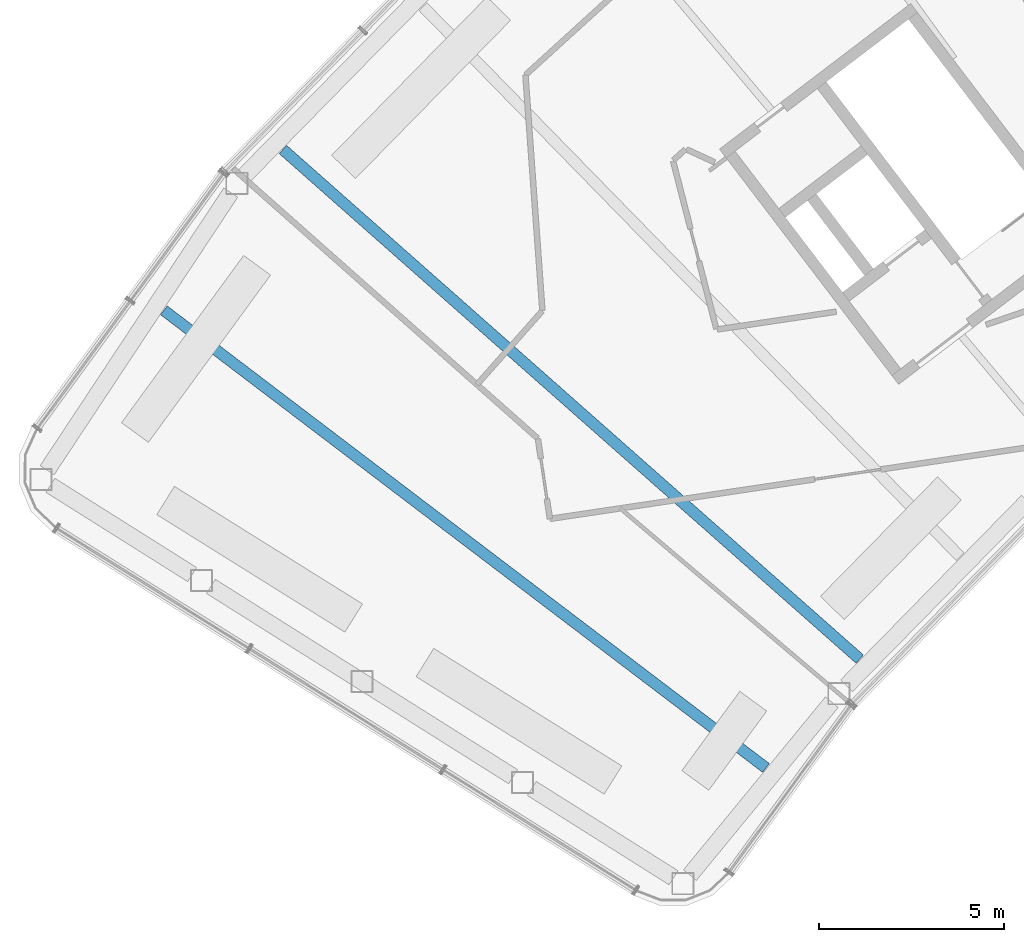
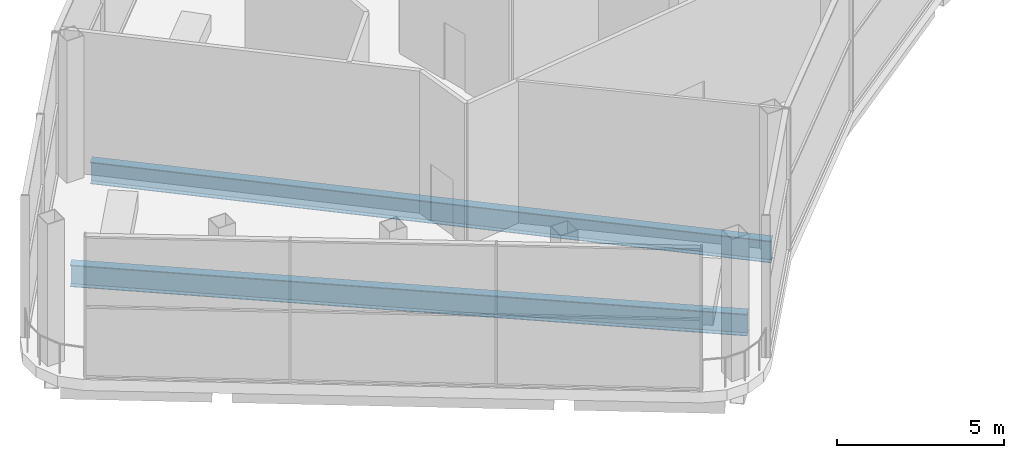
# One storey, part 5 of 44: 2 beams.
"""IFC4 building model written with IfcOpenShell, lengths in metres."""

from ifc_helpers import new_model, si_unit, direction, frame, origin, origin_2d, place, context, subcontext, project, spatial, i_section, extrude, material, material_profile, profile_set, type_object, element, save


model = new_model("IFC4")

# Units and contexts
model_context = context("Model", 3, precision=1e-05, world=origin(), true_north=direction((0.0, 1.0)))
body_context = subcontext(model_context, "Body", "Model", "MODEL_VIEW")
ifc_project = project(units=[si_unit("LENGTHUNIT", "METRE"), si_unit("AREAUNIT", "SQUARE_METRE"), si_unit("VOLUMEUNIT", "CUBIC_METRE"), si_unit("PLANEANGLEUNIT", "RADIAN"), si_unit("MASSUNIT", "GRAM", prefix="KILO")], contexts=[model_context])

# Site, building, storey
site_placement = place(None, origin())
site = spatial("IfcSite", under=ifc_project, at=site_placement, CompositionType="ELEMENT")
building_placement = place(site_placement, origin())
building = spatial("IfcBuilding", under=site, at=building_placement, Name="Tuul Gate Civic Tower", CompositionType="ELEMENT")
storey_placement = place(building_placement, frame((0.0, 0.0, 354.60009765625)))
storey = spatial("IfcBuildingStorey", under=building, at=storey_placement, Name="Observation level 2", CompositionType="ELEMENT", Elevation=354.60009765625)

# Beams
ifc_material = material(Name="Steel S355", Category="steel")
ifc_material_profile = material_profile(ifc_material, i_section(OverallWidth=0.300048828125, OverallDepth=0.800048828125, WebThickness=0.013916015625, FlangeThickness=0.02490234375, at=origin_2d()), Name="PG800x300x14x25")
ifc_profile_set = profile_set([ifc_material_profile], Name="Steel S355")
beam_type = type_object("IfcBeamType", Name="STR-FLOOR BEAM-PG800x300x14x25", PredefinedType="BEAM", material=ifc_profile_set)
beam_1_placement = place(storey_placement, frame((-37.3232421875, -25.16259765625, -0.800048828125), z_axis=(-0.749453243269, 0.662057275584, 0.0), x_axis=(-0.662057275584, -0.749453243269, 0.0)))
element("IfcBeam", 1, at=beam_1_placement, inside=storey, type_object=beam_type, Name="Floor beam", PredefinedType="BEAM", context=body_context, shape_type="SweptSolid", body=[
    extrude(i_section(OverallWidth=0.300048828125, OverallDepth=0.800048828125, WebThickness=0.013916015625, FlangeThickness=0.02490234375, at=origin_2d()), origin(), (0.0, 0.0, 1.0), 20.828369140625),
])
beam_2_placement = place(storey_placement, frame((-39.8623046875, -28.107421875, -0.800048828125), z_axis=(-0.796145180606, 0.605105653087, 0.0), x_axis=(-0.605105653087, -0.796145180606, 0.0)))
element("IfcBeam", 2, at=beam_2_placement, inside=storey, type_object=beam_type, Name="Floor beam", PredefinedType="BEAM", context=body_context, shape_type="SweptSolid", body=[
    extrude(i_section(OverallWidth=0.300048828125, OverallDepth=0.800048828125, WebThickness=0.013916015625, FlangeThickness=0.02490234375, at=origin_2d()), origin(), (0.0, 0.0, 1.0), 20.462646484375),
])

save(model, "model.ifc")
